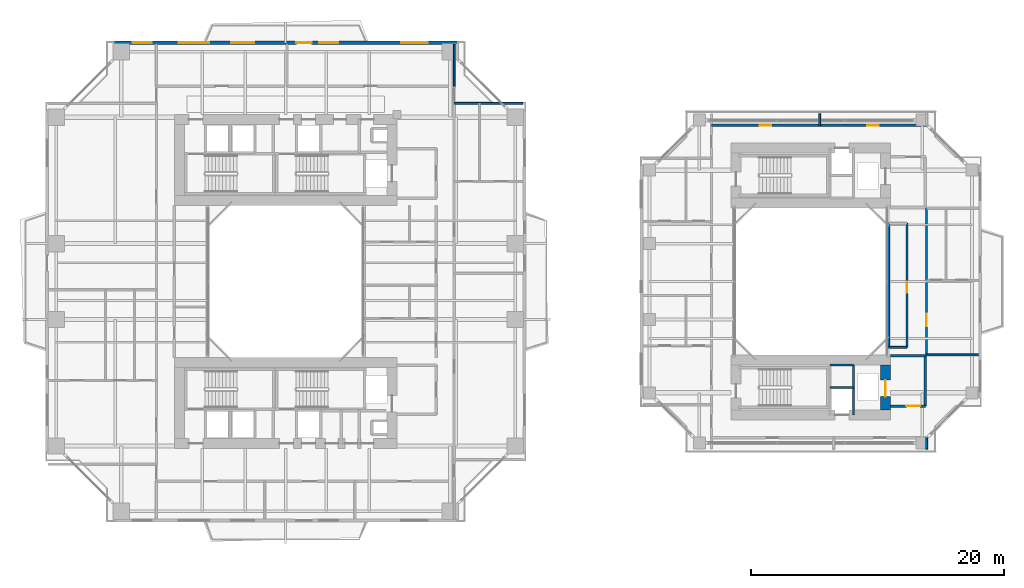
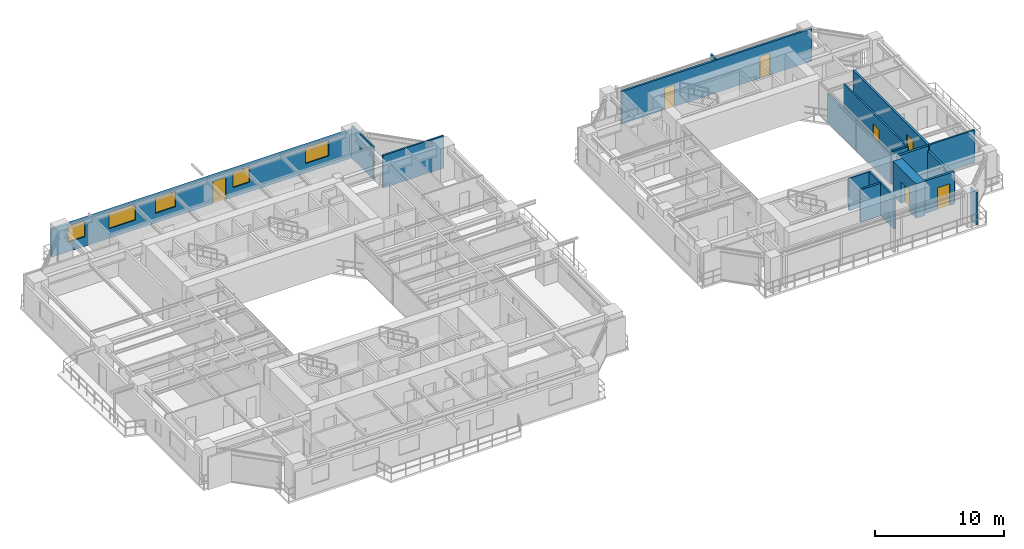
# One storey, part 17 of 23: 18 walls, 7 doors, 5 windows, 12 openings.
"""IFC4 building model written with IfcOpenShell, lengths in metres."""

from ifc_helpers import new_model, si_unit, direction, frame, frame_2d, origin, place, context, subcontext, project, spatial, rectangle, extrude, source, transform, mapped, material, layer, layer_set, type_object, element, fill, save


model = new_model("IFC4")

# Units and contexts
model_context = context("Model", 3, precision=1e-05, world=origin(), true_north=direction((0.0, 1.0)))
body_context = subcontext(model_context, "Body", "Model", "MODEL_VIEW")
ifc_project = project(units=[si_unit("LENGTHUNIT", "METRE"), si_unit("AREAUNIT", "SQUARE_METRE"), si_unit("VOLUMEUNIT", "CUBIC_METRE"), si_unit("PLANEANGLEUNIT", "RADIAN"), si_unit("MASSUNIT", "GRAM", prefix="KILO"), si_unit("THERMODYNAMICTEMPERATUREUNIT", "KELVIN"), si_unit("POWERUNIT", "WATT")], contexts=[model_context])

# Site, building, storey
site_placement = place(None, origin())
site = spatial("IfcSite", under=ifc_project, at=site_placement, CompositionType="ELEMENT")
building_placement = place(site_placement, origin())
building = spatial("IfcBuilding", under=site, at=building_placement, Name="Qiaomeng Ring Towers", CompositionType="ELEMENT")
storey_placement = place(building_placement, frame((0.0, 0.0, 26.25)))
storey = spatial("IfcBuildingStorey", under=building, at=storey_placement, Name="L06", CompositionType="ELEMENT", Elevation=26.25)

# Wall, openings, windows, door
ifc_material_1 = material(Name="Precast concrete C40", Category="concrete")
ifc_layer_1 = layer(ifc_material_1, 0.25, Name="Precast concrete C40")
ifc_layer_set_1 = layer_set([ifc_layer_1], Name="Precast concrete C40")
wall_type_1 = type_object("IfcWallType", Name="ARC-WL-EW1", PredefinedType="STANDARD", material=ifc_layer_set_1)
wall_1_placement = place(storey_placement, frame((5.449951171875, 41.875, 0.0), z_axis=(0.0, 0.0, 1.0), x_axis=(1.0, 0.0, 0.0)))
wall_1 = element("IfcWall", 1, at=wall_1_placement, inside=storey, type_object=wall_type_1, Name="L06 Tower 1 N Exterior Wall", PredefinedType="STANDARD", context=body_context, shape_type="SweptSolid", body=[
    extrude(rectangle(XDim=27.10009765625, YDim=0.25, at=frame_2d((13.550048828125, 0.0))), origin(), (0.0, 0.0, 1.0), 2.610107421875),
])
opening_1_placement = place(wall_1_placement, frame((14.39990234375, 0.0, 0.0)))
opening_1 = element("IfcOpeningElement", 2, at=opening_1_placement, cuts=wall_1, Name="Opening BD1", PredefinedType="OPENING", context=body_context, shape_type="SweptSolid", body=[
    extrude(rectangle(XDim=1.199951171875, YDim=2.10009765625, at=frame_2d((0.60009765625, 1.050048828125))), frame((0.0, 0.135009765625, 0.0), z_axis=(0.0, -1.0, 0.0), x_axis=(1.0, 0.0, 0.0)), (0.0, 0.0, 1.0), 0.27001953125),
])
opening_2_placement = place(wall_1_placement, frame((1.47998046875, 0.0, 0.89990234375)))
opening_2 = element("IfcOpeningElement", 3, at=opening_2_placement, cuts=wall_1, Name="Opening WN2", PredefinedType="OPENING", context=body_context, shape_type="SweptSolid", body=[
    extrude(rectangle(XDim=1.5, YDim=1.5, at=frame_2d((0.75, 0.75))), frame((0.0, 0.135009765625, 0.0), z_axis=(0.0, -1.0, 0.0), x_axis=(1.0, 0.0, 0.0)), (0.0, 0.0, 1.0), 0.27001953125),
])
opening_3_placement = place(wall_1_placement, frame((9.262939453125, 0.0, 0.89990234375)))
opening_3 = element("IfcOpeningElement", 4, at=opening_3_placement, cuts=wall_1, Name="Opening WN1", PredefinedType="OPENING", context=body_context, shape_type="SweptSolid", body=[
    extrude(rectangle(XDim=1.800048828125, YDim=1.449951171875, at=frame_2d((0.89990234375, 0.72509765625))), frame((0.0, 0.135009765625, 0.0), z_axis=(0.0, -1.0, 0.0), x_axis=(1.0, 0.0, 0.0)), (0.0, 0.0, 1.0), 0.27001953125),
])
opening_4_placement = place(wall_1_placement, frame((16.18798828125, 0.0, 0.89990234375)))
opening_4 = element("IfcOpeningElement", 5, at=opening_4_placement, cuts=wall_1, Name="Opening WN2", PredefinedType="OPENING", context=body_context, shape_type="SweptSolid", body=[
    extrude(rectangle(XDim=1.5, YDim=1.449951171875, at=frame_2d((0.75, 0.72509765625))), frame((0.0, 0.135009765625, 0.0), z_axis=(0.0, -1.0, 0.0), x_axis=(1.0, 0.0, 0.0)), (0.0, 0.0, 1.0), 0.27001953125),
])
opening_5_placement = place(wall_1_placement, frame((22.6630859375, 0.0, 0.89990234375)))
opening_5 = element("IfcOpeningElement", 6, at=opening_5_placement, cuts=wall_1, Name="Opening WN4", PredefinedType="OPENING", context=body_context, shape_type="SweptSolid", body=[
    extrude(rectangle(XDim=2.10009765625, YDim=1.47998046875, at=frame_2d((1.050048828125, 0.739990234375))), frame((0.0, 0.135009765625, 0.0), z_axis=(0.0, -1.0, 0.0), x_axis=(1.0, 0.0, 0.0)), (0.0, 0.0, 1.0), 0.27001953125),
])
opening_6_placement = place(wall_1_placement, frame((5.114013671875, 0.0, 0.89990234375)))
opening_6 = element("IfcOpeningElement", 7, at=opening_6_placement, cuts=wall_1, Name="Opening WN6", PredefinedType="OPENING", context=body_context, shape_type="SweptSolid", body=[
    extrude(rectangle(XDim=2.39990234375, YDim=1.5, at=frame_2d((1.199951171875, 0.75))), frame((0.0, 0.135009765625, 0.0), z_axis=(0.0, -1.0, 0.0), x_axis=(1.0, 0.0, 0.0)), (0.0, 0.0, 1.0), 0.27001953125),
])
ifc_material_2 = material(Name="Low-E dark-grey laminated double glazing", Category="glass")
window_type_1 = type_object("IfcWindowType", Name="ARC-WN-2", PartitioningType="DOUBLE_PANEL_VERTICAL", PredefinedType="WINDOW", material=ifc_material_2)
shared_shape_1 = source(origin(), body_context, "Body", "SweptSolid", [
    extrude(rectangle(XDim=1.5, YDim=1.449951171875, at=frame_2d((0.75, 0.72509765625))), frame((0.0, 0.030029296875, 0.0), z_axis=(0.0, -1.0, 0.0), x_axis=(1.0, 0.0, 0.0)), (0.0, 0.0, 1.0), 0.06005859375),
])
window_1_placement = place(opening_4_placement, origin())
window_1 = element("IfcWindow", 8, at=window_1_placement, inside=storey, type_object=window_type_1, Name="L06 Exterior Window WN2", OverallHeight=1.449951171875, OverallWidth=1.5, PartitioningType="DOUBLE_PANEL_VERTICAL", PredefinedType="WINDOW", context=body_context, shape_type="MappedRepresentation", body=[
    mapped(shared_shape_1, transform((0.0, 0.0, 0.0), x_axis=(1.0, 0.0, 0.0), y_axis=(0.0, 1.0, 0.0), z_axis=(0.0, 0.0, 1.0), scale=1.0)),
])
fill(opening_4, window_1)
window_type_2 = type_object("IfcWindowType", Name="ARC-WN-4", PartitioningType="TRIPLE_PANEL_VERTICAL", PredefinedType="WINDOW", material=ifc_material_2)
shared_shape_2 = source(origin(), body_context, "Body", "SweptSolid", [
    extrude(rectangle(XDim=2.10009765625, YDim=1.47998046875, at=frame_2d((1.050048828125, 0.739990234375))), frame((0.0, 0.030029296875, 0.0), z_axis=(0.0, -1.0, 0.0), x_axis=(1.0, 0.0, 0.0)), (0.0, 0.0, 1.0), 0.06005859375),
])
window_2_placement = place(opening_5_placement, origin())
window_2 = element("IfcWindow", 9, at=window_2_placement, inside=storey, type_object=window_type_2, Name="L06 Exterior Window WN4", OverallHeight=1.47998046875, OverallWidth=2.10009765625, PartitioningType="TRIPLE_PANEL_VERTICAL", PredefinedType="WINDOW", context=body_context, shape_type="MappedRepresentation", body=[
    mapped(shared_shape_2, transform((0.0, 0.0, 0.0), x_axis=(1.0, 0.0, 0.0), y_axis=(0.0, 1.0, 0.0), z_axis=(0.0, 0.0, 1.0), scale=1.0)),
])
fill(opening_5, window_2)
window_type_3 = type_object("IfcWindowType", Name="ARC-WN-1", PartitioningType="DOUBLE_PANEL_VERTICAL", PredefinedType="WINDOW", material=ifc_material_2)
shared_shape_3 = source(origin(), body_context, "Body", "SweptSolid", [
    extrude(rectangle(XDim=1.800048828125, YDim=1.449951171875, at=frame_2d((0.89990234375, 0.72509765625))), frame((0.0, 0.030029296875, 0.0), z_axis=(0.0, -1.0, 0.0), x_axis=(1.0, 0.0, 0.0)), (0.0, 0.0, 1.0), 0.06005859375),
])
window_3_placement = place(opening_3_placement, origin())
window_3 = element("IfcWindow", 10, at=window_3_placement, inside=storey, type_object=window_type_3, Name="L06 Exterior Window WN1", OverallHeight=1.449951171875, OverallWidth=1.800048828125, PartitioningType="DOUBLE_PANEL_VERTICAL", PredefinedType="WINDOW", context=body_context, shape_type="MappedRepresentation", body=[
    mapped(shared_shape_3, transform((0.0, 0.0, 0.0), x_axis=(1.0, 0.0, 0.0), y_axis=(0.0, 1.0, 0.0), z_axis=(0.0, 0.0, 1.0), scale=1.0)),
])
fill(opening_3, window_3)
door_type_1 = type_object("IfcDoorType", Name="ARC-DR-BD1", OperationType="NOTDEFINED", PredefinedType="DOOR", material=ifc_material_2)
shared_shape_4 = source(origin(), body_context, "Body", "SweptSolid", [
    extrude(rectangle(XDim=1.199951171875, YDim=2.10009765625, at=frame_2d((0.60009765625, 1.050048828125))), frame((0.0, 0.02490234375, 0.0), z_axis=(0.0, -1.0, 0.0), x_axis=(1.0, 0.0, 0.0)), (0.0, 0.0, 1.0), 0.050048828125),
])
door_1_placement = place(opening_1_placement, origin())
door_1 = element("IfcDoor", 11, at=door_1_placement, inside=storey, type_object=door_type_1, Name="L06 N Balcony Glazed Door", OperationType="SINGLE_SWING_LEFT", OverallHeight=2.10009765625, OverallWidth=1.199951171875, PredefinedType="DOOR", context=body_context, shape_type="MappedRepresentation", body=[
    mapped(shared_shape_4, transform((0.0, 0.0, 0.0), x_axis=(1.0, 0.0, 0.0), y_axis=(0.0, 1.0, 0.0), z_axis=(0.0, 0.0, 1.0), scale=1.0)),
])
fill(opening_1, door_1)
shared_shape_5 = source(origin(), body_context, "Body", "SweptSolid", [
    extrude(rectangle(XDim=1.5, YDim=1.5, at=frame_2d((0.75, 0.75))), frame((0.0, 0.030029296875, 0.0), z_axis=(0.0, -1.0, 0.0), x_axis=(1.0, 0.0, 0.0)), (0.0, 0.0, 1.0), 0.06005859375),
])
window_4_placement = place(opening_2_placement, origin())
window_4 = element("IfcWindow", 12, at=window_4_placement, inside=storey, type_object=window_type_1, Name="L06 Exterior Window WN6", OverallHeight=1.5, OverallWidth=1.5, PartitioningType="TRIPLE_PANEL_VERTICAL", PredefinedType="WINDOW", context=body_context, shape_type="MappedRepresentation", body=[
    mapped(shared_shape_5, transform((0.0, 0.0, 0.0), x_axis=(1.0, 0.0, 0.0), y_axis=(0.0, 1.0, 0.0), z_axis=(0.0, 0.0, 1.0), scale=1.0)),
])
fill(opening_2, window_4)
window_type_4 = type_object("IfcWindowType", Name="ARC-WN-6", PartitioningType="TRIPLE_PANEL_VERTICAL", PredefinedType="WINDOW", material=ifc_material_2)
shared_shape_6 = source(origin(), body_context, "Body", "SweptSolid", [
    extrude(rectangle(XDim=2.39990234375, YDim=1.5, at=frame_2d((1.199951171875, 0.75))), frame((0.0, 0.030029296875, 0.0), z_axis=(0.0, -1.0, 0.0), x_axis=(1.0, 0.0, 0.0)), (0.0, 0.0, 1.0), 0.06005859375),
])
window_5_placement = place(opening_6_placement, origin())
window_5 = element("IfcWindow", 13, at=window_5_placement, inside=storey, type_object=window_type_4, Name="L06 Exterior Window WN6", OverallHeight=1.5, OverallWidth=2.39990234375, PartitioningType="TRIPLE_PANEL_VERTICAL", PredefinedType="WINDOW", context=body_context, shape_type="MappedRepresentation", body=[
    mapped(shared_shape_6, transform((0.0, 0.0, 0.0), x_axis=(1.0, 0.0, 0.0), y_axis=(0.0, 1.0, 0.0), z_axis=(0.0, 0.0, 1.0), scale=1.0)),
])
fill(opening_6, window_5)

# Walls
ifc_material_3 = material(Name="Autoclaved aerated concrete block", Category="concrete")
ifc_layer_2 = layer(ifc_material_3, 0.199951171875, Name="Autoclaved aerated concrete block")
ifc_layer_set_2 = layer_set([ifc_layer_2], Name="Autoclaved aerated concrete block")
wall_type_2 = type_object("IfcWallType", Name="ARC-WL-PW1", PredefinedType="PARTITIONING", material=ifc_layer_set_2)
wall_2_placement = place(storey_placement, frame((66.800048828125, 17.14990234375, 0.0), z_axis=(0.0, 0.0, 1.0), x_axis=(1.0, 0.0, 0.0)))
element("IfcWall", 14, at=wall_2_placement, inside=storey, type_object=wall_type_2, Name="L06 Interior Wall PW1", PredefinedType="PARTITIONING", context=body_context, shape_type="SweptSolid", body=[
    extrude(rectangle(XDim=2.75, YDim=0.199951171875, at=frame_2d((1.375, 0.0))), origin(), (0.0, 0.0, 1.0), 3.070068359375),
])
wall_3_placement = place(storey_placement, frame((69.550048828125, 13.14990234375, 0.0), z_axis=(0.0, 0.0, 1.0), x_axis=(0.0, 1.0, 0.0)))
element("IfcWall", 15, at=wall_3_placement, inside=storey, type_object=wall_type_2, Name="L06 Interior Wall PW1", PredefinedType="PARTITIONING", context=body_context, shape_type="SweptSolid", body=[
    extrude(rectangle(XDim=4.0, YDim=0.199951171875, at=frame_2d((2.0, 0.0))), origin(), (0.0, 0.0, 1.0), 2.614990234375),
])

# Wall, opening, door
wall_4_placement = place(storey_placement, frame((66.800048828125, 13.14990234375, 0.0), z_axis=(0.0, 0.0, 1.0), x_axis=(1.0, 0.0, 0.0)))
wall_4 = element("IfcWall", 16, at=wall_4_placement, inside=storey, type_object=wall_type_2, Name="L06 Interior Wall PW1", PredefinedType="PARTITIONING", context=body_context, shape_type="SweptSolid", body=[
    extrude(rectangle(XDim=2.75, YDim=0.199951171875, at=frame_2d((1.375, 0.0))), origin(), (0.0, 0.0, 1.0), 3.070068359375),
])
opening_7_placement = place(wall_4_placement, frame((1.25, 0.0, 0.0)))
opening_7 = element("IfcOpeningElement", 17, at=opening_7_placement, cuts=wall_4, Name="Opening FD3", PredefinedType="OPENING", context=body_context, shape_type="SweptSolid", body=[
    extrude(rectangle(XDim=1.10009765625, YDim=2.050048828125, at=frame_2d((0.550048828125, 1.02490234375))), frame((0.0, 0.10986328125, 0.0), z_axis=(0.0, -1.0, 0.0), x_axis=(1.0, 0.0, 0.0)), (0.0, 0.0, 1.0), 0.219970703125),
])
ifc_material_4 = material(Name="Galvanised steel", Category="steel")
door_type_2 = type_object("IfcDoorType", Name="ARC-DR-FD3", OperationType="NOTDEFINED", PredefinedType="DOOR", material=ifc_material_4)
shared_shape_7 = source(origin(), body_context, "Body", "SweptSolid", [
    extrude(rectangle(XDim=1.10009765625, YDim=2.050048828125, at=frame_2d((0.550048828125, 1.02490234375))), frame((0.0, 0.02490234375, 0.0), z_axis=(0.0, -1.0, 0.0), x_axis=(1.0, 0.0, 0.0)), (0.0, 0.0, 1.0), 0.050048828125),
])
door_2_placement = place(opening_7_placement, origin())
door_2 = element("IfcDoor", 18, at=door_2_placement, inside=storey, type_object=door_type_2, Name="L06 Door FD3", OperationType="SINGLE_SWING_LEFT", OverallHeight=2.050048828125, OverallWidth=1.10009765625, PredefinedType="DOOR", context=body_context, shape_type="MappedRepresentation", body=[
    mapped(shared_shape_7, transform((0.0, 0.0, 0.0), x_axis=(1.0, 0.0, 0.0), y_axis=(0.0, 1.0, 0.0), z_axis=(0.0, 0.0, 1.0), scale=1.0)),
])
fill(opening_7, door_2)

ifc_layer_3 = layer(ifc_material_3, 0.179931640625, Name="Autoclaved aerated concrete block")
ifc_layer_set_3 = layer_set([ifc_layer_3], Name="Autoclaved aerated concrete block")
wall_type_3 = type_object("IfcWallType", Name="ARC-WL-PW2", PredefinedType="PARTITIONING", material=ifc_layer_set_3)
wall_5_placement = place(storey_placement, frame((69.64990234375, 17.199951171875, 0.0), z_axis=(0.0, 0.0, 1.0), x_axis=(0.0, 1.0, 0.0)))
wall_5 = element("IfcWall", 19, at=wall_5_placement, inside=storey, type_object=wall_type_3, Name="L06 Interior Wall PW2", PredefinedType="PARTITIONING", context=body_context, shape_type="SweptSolid", body=[
    extrude(rectangle(XDim=11.60009765625, YDim=0.179931640625, at=frame_2d((5.800048828125, 0.0))), origin(), (0.0, 0.0, 1.0), 3.070068359375),
])
opening_8_placement = place(wall_5_placement, frame((2.260009765625, 0.0, 0.0)))
opening_8 = element("IfcOpeningElement", 20, at=opening_8_placement, cuts=wall_5, Name="Opening FD4", PredefinedType="OPENING", context=body_context, shape_type="SweptSolid", body=[
    extrude(rectangle(XDim=1.0, YDim=2.050048828125, at=frame_2d((0.5, 1.02490234375))), frame((0.0, 0.099853515625, 0.0), z_axis=(0.0, -1.0, 0.0), x_axis=(1.0, 0.0, 0.0)), (0.0, 0.0, 1.0), 0.199951171875),
])
ifc_material_5 = material(Name="Engineered fire-rated oak timber", Category="wood")
door_type_3 = type_object("IfcDoorType", Name="ARC-DR-FD4", OperationType="NOTDEFINED", PredefinedType="DOOR", material=ifc_material_5)
shared_shape_8 = source(origin(), body_context, "Body", "SweptSolid", [
    extrude(rectangle(XDim=1.0, YDim=2.050048828125, at=frame_2d((0.5, 1.02490234375))), frame((0.0, 0.02490234375, 0.0), z_axis=(0.0, -1.0, 0.0), x_axis=(1.0, 0.0, 0.0)), (0.0, 0.0, 1.0), 0.050048828125),
])
door_3_placement = place(opening_8_placement, origin())
door_3 = element("IfcDoor", 21, at=door_3_placement, inside=storey, type_object=door_type_3, Name="L06 Door FD4", OperationType="SINGLE_SWING_LEFT", OverallHeight=2.050048828125, OverallWidth=1.0, PredefinedType="DOOR", context=body_context, shape_type="MappedRepresentation", body=[
    mapped(shared_shape_8, transform((0.0, 0.0, 0.0), x_axis=(1.0, 0.0, 0.0), y_axis=(0.0, 1.0, 0.0), z_axis=(0.0, 0.0, 1.0), scale=1.0)),
])
fill(opening_8, door_3)

# Wall, openings, doors
wall_6_placement = place(storey_placement, frame((52.64990234375, 35.35009765625, 0.0), z_axis=(0.0, 0.0, 1.0), x_axis=(1.0, 0.0, 0.0)))
wall_6 = element("IfcWall", 22, at=wall_6_placement, inside=storey, type_object=wall_type_3, Name="L06 Interior Wall PW2", PredefinedType="PARTITIONING", context=body_context, shape_type="SweptSolid", body=[
    extrude(rectangle(XDim=17.0, YDim=0.179931640625, at=frame_2d((8.5, 0.0))), origin(), (0.0, 0.0, 1.0), 3.070068359375),
])
opening_9_placement = place(wall_6_placement, frame((3.824951171875, 0.0, 0.0)))
opening_9 = element("IfcOpeningElement", 23, at=opening_9_placement, cuts=wall_6, Name="Opening ID1", PredefinedType="OPENING", context=body_context, shape_type="SweptSolid", body=[
    extrude(rectangle(XDim=0.89990234375, YDim=2.050048828125, at=frame_2d((0.449951171875, 1.02490234375))), frame((0.0, 0.099853515625, 0.0), z_axis=(0.0, -1.0, 0.0), x_axis=(1.0, 0.0, 0.0)), (0.0, 0.0, 1.0), 0.199951171875),
])
opening_10_placement = place(wall_6_placement, frame((12.324951171875, 0.0, 0.0)))
opening_10 = element("IfcOpeningElement", 24, at=opening_10_placement, cuts=wall_6, Name="Opening ID1", PredefinedType="OPENING", context=body_context, shape_type="SweptSolid", body=[
    extrude(rectangle(XDim=0.89990234375, YDim=2.050048828125, at=frame_2d((0.449951171875, 1.02490234375))), frame((0.0, 0.099853515625, 0.0), z_axis=(0.0, -1.0, 0.0), x_axis=(1.0, 0.0, 0.0)), (0.0, 0.0, 1.0), 0.199951171875),
])
ifc_material_6 = material(Name="Engineered oak timber", Category="wood")
door_type_4 = type_object("IfcDoorType", Name="ARC-DR-ID1", OperationType="NOTDEFINED", PredefinedType="DOOR", material=ifc_material_6)
shared_shape_9 = source(origin(), body_context, "Body", "SweptSolid", [
    extrude(rectangle(XDim=0.89990234375, YDim=2.050048828125, at=frame_2d((0.449951171875, 1.02490234375))), frame((0.0, 0.02490234375, 0.0), z_axis=(0.0, -1.0, 0.0), x_axis=(1.0, 0.0, 0.0)), (0.0, 0.0, 1.0), 0.050048828125),
])
door_4_placement = place(opening_9_placement, origin())
door_4 = element("IfcDoor", 25, at=door_4_placement, inside=storey, type_object=door_type_4, Name="L06 Door ID1", OperationType="SINGLE_SWING_LEFT", OverallHeight=2.050048828125, OverallWidth=0.89990234375, PredefinedType="DOOR", context=body_context, shape_type="MappedRepresentation", body=[
    mapped(shared_shape_9, transform((0.0, 0.0, 0.0), x_axis=(1.0, 0.0, 0.0), y_axis=(0.0, 1.0, 0.0), z_axis=(0.0, 0.0, 1.0), scale=1.0)),
])
fill(opening_9, door_4)
door_5_placement = place(opening_10_placement, origin())
door_5 = element("IfcDoor", 26, at=door_5_placement, inside=storey, type_object=door_type_4, Name="L06 Door ID1", OperationType="SINGLE_SWING_RIGHT", OverallHeight=2.050048828125, OverallWidth=0.89990234375, PredefinedType="DOOR", context=body_context, shape_type="MappedRepresentation", body=[
    mapped(shared_shape_9, transform((0.0, 0.0, 0.0), x_axis=(1.0, 0.0, 0.0), y_axis=(0.0, 1.0, 0.0), z_axis=(0.0, 0.0, 1.0), scale=1.0)),
])
fill(opening_10, door_5)

# Walls
ifc_material_7 = material(Name="Gypsum fireboard steel-stud partition", Category="steel")
ifc_layer_4 = layer(ifc_material_7, 0.14990234375, Name="Gypsum fireboard steel-stud partition")
ifc_layer_set_4 = layer_set([ifc_layer_4], Name="Gypsum fireboard steel-stud partition")
wall_type_4 = type_object("IfcWallType", Name="ARC-WL-PW3", PredefinedType="PARTITIONING", material=ifc_layer_set_4)
wall_7_placement = place(storey_placement, frame((32.320068359375, 38.43994140625, 0.0), z_axis=(0.0, 0.0, 1.0), x_axis=(0.0, 1.0, 0.0)))
element("IfcWall", 27, at=wall_7_placement, inside=storey, type_object=wall_type_4, Name="L06 Interior Wall PW3", PredefinedType="PARTITIONING", context=body_context, shape_type="SweptSolid", body=[
    extrude(rectangle(XDim=3.31005859375, YDim=0.14990234375, at=frame_2d((1.655029296875, 0.0))), origin(), (0.0, 0.0, 1.0), 3.070068359375),
])
wall_8_placement = place(storey_placement, frame((32.320068359375, 37.080078125, 0.0), z_axis=(0.0, 0.0, 1.0), x_axis=(1.0, 0.0, 0.0)))
element("IfcWall", 28, at=wall_8_placement, inside=storey, type_object=wall_type_4, Name="L06 Interior Wall PW3", PredefinedType="PARTITIONING", context=body_context, shape_type="SweptSolid", body=[
    extrude(rectangle(XDim=5.429931640625, YDim=0.14990234375, at=frame_2d((2.71484375, 0.0))), origin(), (0.0, 0.0, 1.0), 3.070068359375),
])
wall_9_placement = place(storey_placement, frame((69.64990234375, 17.199951171875, 0.0), z_axis=(0.0, 0.0, 1.0), x_axis=(1.0, 0.0, 0.0)))
element("IfcWall", 29, at=wall_9_placement, inside=storey, type_object=wall_type_4, Name="L06 Interior Wall PW3", PredefinedType="PARTITIONING", context=body_context, shape_type="SweptSolid", body=[
    extrude(rectangle(XDim=4.10009765625, YDim=0.14990234375, at=frame_2d((2.050048828125, 0.0))), origin(), (0.0, 0.0, 1.0), 3.070068359375),
])

# Wall, opening, door
wall_10_placement = place(storey_placement, frame((68.10009765625, 17.800048828125, 0.0), z_axis=(0.0, 0.0, 1.0), x_axis=(0.0, 1.0, 0.0)))
wall_10 = element("IfcWall", 30, at=wall_10_placement, inside=storey, type_object=wall_type_4, Name="L06 Interior Wall PW3", PredefinedType="PARTITIONING", context=body_context, shape_type="SweptSolid", body=[
    extrude(rectangle(XDim=9.800048828125, YDim=0.14990234375, at=frame_2d((4.89990234375, 0.0))), origin(), (0.0, 0.0, 1.0), 3.070068359375),
])
opening_11_placement = place(wall_10_placement, frame((4.300048828125, 0.0, 0.0)))
opening_11 = element("IfcOpeningElement", 31, at=opening_11_placement, cuts=wall_10, Name="Opening ID1", PredefinedType="OPENING", context=body_context, shape_type="SweptSolid", body=[
    extrude(rectangle(XDim=0.89990234375, YDim=2.050048828125, at=frame_2d((0.449951171875, 1.02490234375))), frame((0.0, 0.0849609375, 0.0), z_axis=(0.0, -1.0, 0.0), x_axis=(1.0, 0.0, 0.0)), (0.0, 0.0, 1.0), 0.169921875),
])
door_6_placement = place(opening_11_placement, origin())
door_6 = element("IfcDoor", 32, at=door_6_placement, inside=storey, type_object=door_type_4, Name="L06 Door ID1", OperationType="SINGLE_SWING_RIGHT", OverallHeight=2.050048828125, OverallWidth=0.89990234375, PredefinedType="DOOR", context=body_context, shape_type="MappedRepresentation", body=[
    mapped(shared_shape_9, transform((0.0, 0.0, 0.0), x_axis=(1.0, 0.0, 0.0), y_axis=(0.0, 1.0, 0.0), z_axis=(0.0, 0.0, 1.0), scale=1.0)),
])
fill(opening_11, door_6)

# Walls
wall_11_placement = place(storey_placement, frame((66.64990234375, 17.800048828125, 0.0), z_axis=(0.0, 0.0, 1.0), x_axis=(1.0, 0.0, 0.0)))
element("IfcWall", 33, at=wall_11_placement, inside=storey, type_object=wall_type_4, Name="L06 Interior Wall PW3", PredefinedType="PARTITIONING", context=body_context, shape_type="SweptSolid", body=[
    extrude(rectangle(XDim=1.4501953125, YDim=0.14990234375, at=frame_2d((0.72509765625, 0.0))), origin(), (0.0, 0.0, 1.0), 3.070068359375),
])
wall_12_placement = place(storey_placement, frame((66.64990234375, 17.800048828125, 0.0), z_axis=(0.0, 0.0, 1.0), x_axis=(0.0, 1.0, 0.0)))
element("IfcWall", 34, at=wall_12_placement, inside=storey, type_object=wall_type_4, Name="L06 Interior Wall PW3", PredefinedType="PARTITIONING", context=body_context, shape_type="SweptSolid", body=[
    extrude(rectangle(XDim=9.800048828125, YDim=0.14990234375, at=frame_2d((4.89990234375, 0.0))), origin(), (0.0, 0.0, 1.0), 2.6650390625),
])
for number, where, z_axis, x_axis, name in (
    (35, (61.199951171875, 35.35009765625, 0.0), (0.0, 0.0, 1.0), (0.0, 1.0, 0.0), "L06 Interior Wall PW3"),
    (36, (69.64990234375, 9.75, 0.0), (0.0, 0.0, 1.0), (0.0, 1.0, 0.0), "L06 Interior Wall PW3"),
):
    element("IfcWall", number, at=place(storey_placement, frame(where, z_axis=z_axis, x_axis=x_axis)), inside=storey, type_object=wall_type_4, Name=name, PredefinedType="PARTITIONING", context=body_context, shape_type="SweptSolid", body=[
        extrude(rectangle(XDim=0.89990234375, YDim=0.14990234375, at=frame_2d((0.449951171875, 0.0))), origin(), (0.0, 0.0, 1.0), 3.070068359375),
    ])
ifc_material_8 = material(Name="Concrete C40", Category="concrete")
ifc_layer_5 = layer(ifc_material_8, 0.199951171875, Name="Concrete C40")
ifc_layer_set_5 = layer_set([ifc_layer_5], Name="Concrete C40")
wall_type_5 = type_object("IfcWallType", Name="STR-WL-STSHAFT", PredefinedType="SHEAR", material=ifc_layer_set_5)
wall_13_placement = place(storey_placement, frame((63.8798828125, 12.449951171875, 0.0), z_axis=(0.0, 0.0, 1.0), x_axis=(0.0, 1.0, 0.0)))
element("IfcWall", 37, at=wall_13_placement, inside=storey, type_object=wall_type_5, Name="L06 Companion Lift Shaft East Wall S", PredefinedType="SHEAR", context=body_context, shape_type="SweptSolid", body=[
    extrude(rectangle(XDim=3.949951171875, YDim=0.179931640625, at=frame_2d((1.97509765625, 0.0))), origin(), (0.0, 0.0, 1.0), 3.070068359375),
])
for number, where, z_axis, x_axis, name in (
    (38, (62.02001953125, 14.6201171875, 0.0), (0.0, 0.0, 1.0), (1.0, 0.0, 0.0), "L06 Companion Lift Shaft Divider Wall S"),
    (39, (62.02001953125, 16.39990234375, 0.0), (0.0, 0.0, 1.0), (1.0, 0.0, 0.0), "L06 Companion Riser Shaft Back Wall S"),
):
    element("IfcWall", number, at=place(storey_placement, frame(where, z_axis=z_axis, x_axis=x_axis)), inside=storey, type_object=wall_type_5, Name=name, PredefinedType="SHEAR", context=body_context, shape_type="SweptSolid", body=[
        extrude(rectangle(XDim=1.85986328125, YDim=0.179931640625, at=frame_2d((0.929931640625, 0.0))), origin(), (0.0, 0.0, 1.0), 3.070068359375),
    ])

# Wall, opening, door
ifc_material_9 = material(Name="Concrete C60", Category="concrete")
ifc_layer_6 = layer(ifc_material_9, 0.800048828125, Name="Concrete C60")
ifc_layer_set_6 = layer_set([ifc_layer_6], Name="Concrete C60")
wall_type_6 = type_object("IfcWallType", Name="STR-WL-SW1", PredefinedType="SHEAR", material=ifc_layer_set_6)
wall_14_placement = place(storey_placement, frame((66.39990234375, 12.85009765625, 0.0), z_axis=(0.0, 0.0, 1.0), x_axis=(0.0, 1.0, 0.0)))
wall_14 = element("IfcWall", 40, at=wall_14_placement, inside=storey, type_object=wall_type_6, Name="L06 T2SC east core shear wall", PredefinedType="SHEAR", context=body_context, shape_type="SweptSolid", body=[
    extrude(rectangle(XDim=3.5498046875, YDim=0.800048828125, at=frame_2d((1.77490234375, 0.0))), origin(), (0.0, 0.0, 1.0), 3.25),
])
opening_12_placement = place(wall_14_placement, frame((1.050048828125, 0.0, 0.0)))
opening_12 = element("IfcOpeningElement", 41, at=opening_12_placement, cuts=wall_14, Name="Opening LD2", PredefinedType="OPENING", context=body_context, shape_type="SweptSolid", body=[
    extrude(rectangle(XDim=1.300048828125, YDim=2.050048828125, at=frame_2d((0.64990234375, 1.02490234375))), frame((0.0, 0.409912109375, 0.0), z_axis=(0.0, -1.0, 0.0), x_axis=(1.0, 0.0, 0.0)), (0.0, 0.0, 1.0), 0.820068359375),
])
ifc_material_10 = material(Name="Stainless steel 316", Category="steel")
door_type_5 = type_object("IfcDoorType", Name="ARC-DR-LD2", OperationType="NOTDEFINED", PredefinedType="DOOR", material=ifc_material_10)
shared_shape_10 = source(origin(), body_context, "Body", "SweptSolid", [
    extrude(rectangle(XDim=1.300048828125, YDim=2.050048828125, at=frame_2d((0.64990234375, 1.02490234375))), frame((0.0, 0.02490234375, 0.0), z_axis=(0.0, -1.0, 0.0), x_axis=(1.0, 0.0, 0.0)), (0.0, 0.0, 1.0), 0.050048828125),
])
door_7_placement = place(opening_12_placement, origin())
door_7 = element("IfcDoor", 42, at=door_7_placement, inside=storey, type_object=door_type_5, Name="L06 Firefighting Lift FL4 Landing Door", OperationType="SLIDING_TO_RIGHT", OverallHeight=2.050048828125, OverallWidth=1.300048828125, PredefinedType="DOOR", context=body_context, shape_type="MappedRepresentation", body=[
    mapped(shared_shape_10, transform((0.0, 0.0, 0.0), x_axis=(1.0, 0.0, 0.0), y_axis=(0.0, 1.0, 0.0), z_axis=(0.0, 0.0, 1.0), scale=1.0)),
])
fill(opening_12, door_7)

save(model, "model.ifc")
